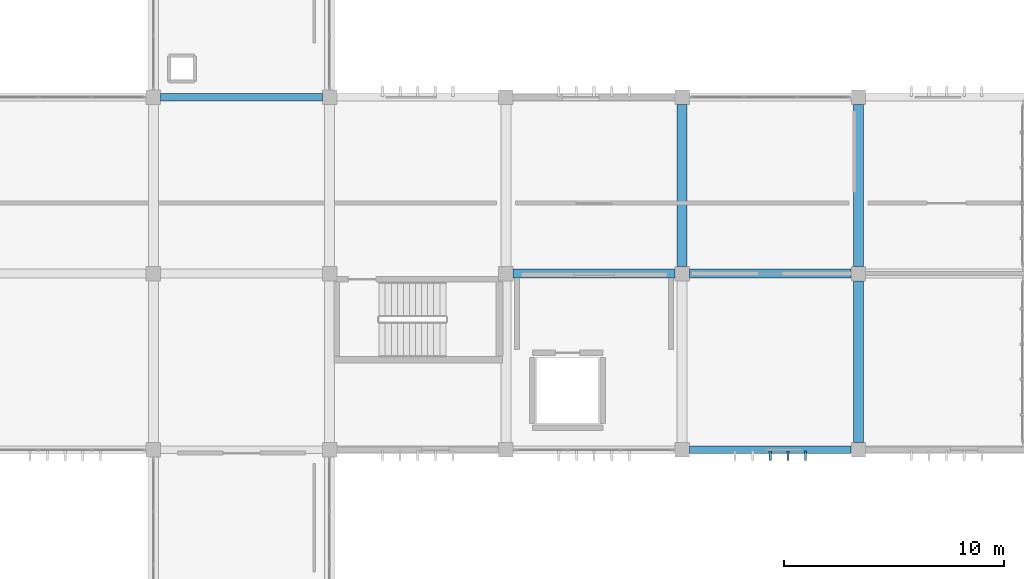
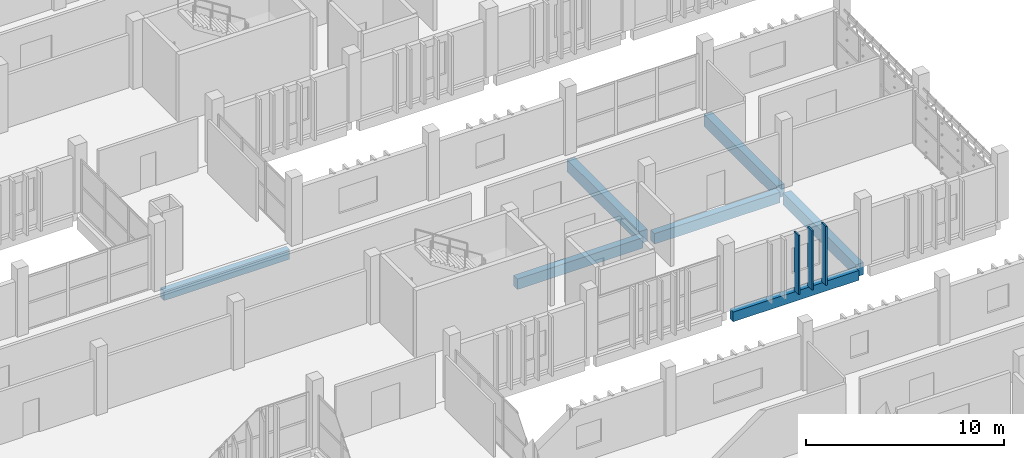
# One storey, part 26 of 137: 7 beams, 3 members.
"""IFC4 building model written with IfcOpenShell, lengths in metres."""

from ifc_helpers import new_model, si_unit, direction, frame, origin, origin_2d, place, context, subcontext, project, spatial, rectangle, extrude, material, material_profile, profile_set, type_object, element, save


model = new_model("IFC4")

# Units and contexts
model_context = context("Model", 3, precision=1e-05, world=origin(), true_north=direction((0.0, 1.0)))
body_context = subcontext(model_context, "Body", "Model", "MODEL_VIEW")
ifc_project = project(units=[si_unit("LENGTHUNIT", "METRE"), si_unit("AREAUNIT", "SQUARE_METRE"), si_unit("VOLUMEUNIT", "CUBIC_METRE"), si_unit("PLANEANGLEUNIT", "RADIAN"), si_unit("MASSUNIT", "GRAM", prefix="KILO")], contexts=[model_context])

# Site, building, storey
site_placement = place(None, origin())
site = spatial("IfcSite", under=ifc_project, at=site_placement, CompositionType="ELEMENT")
building_placement = place(site_placement, origin())
building = spatial("IfcBuilding", under=site, at=building_placement, Name="Jelvoka-Kovrelna Polytechnic", CompositionType="ELEMENT")
storey_placement = place(building_placement, frame((0.0, 0.0, 9.60009765625)))
storey = spatial("IfcBuildingStorey", under=building, at=storey_placement, Name="L03", CompositionType="ELEMENT", Elevation=9.60009765625)

# Beams
ifc_material_1 = material(Name="Concrete C40/50", Category="concrete")
ifc_material_profile_1 = material_profile(ifc_material_1, rectangle(XDim=0.39990234375, YDim=0.64990234375, at=origin_2d()), Name="RC 400x650")
ifc_profile_set_1 = profile_set([ifc_material_profile_1], Name="Concrete C40/50")
beam_type_1 = type_object("IfcBeamType", Name="Beam_RC_400x650", PredefinedType="BEAM", material=ifc_profile_set_1)
for number, where, z_axis, x_axis, name in (
    (1, (88.330078125, 40.0, -0.590087890625), (1.0, 0.0, 0.0), (0.0, 1.0, 0.0), "L03 beam 0937"),
    (2, (96.330078125, 40.0, -0.590087890625), (1.0, 0.0, 0.0), (0.0, 1.0, 0.0), "L03 beam 0938"),
):
    element("IfcBeam", number, at=place(storey_placement, frame(where, z_axis=z_axis, x_axis=x_axis)), inside=storey, type_object=beam_type_1, Name=name, PredefinedType="BEAM", context=body_context, shape_type="SweptSolid", body=[
        extrude(rectangle(XDim=0.39990234375, YDim=0.64990234375, at=origin_2d()), origin(), (0.0, 0.0, 1.0), 7.33984375),
    ])
ifc_material_2 = material(Name="Concrete C40/50", Category="concrete")
ifc_material_profile_2 = material_profile(ifc_material_2, rectangle(XDim=0.449951171875, YDim=0.75, at=origin_2d()), Name="RC 450x750")
ifc_profile_set_2 = profile_set([ifc_material_profile_2], Name="Concrete C40/50")
beam_type_2 = type_object("IfcBeamType", Name="Beam_RC_450x750", PredefinedType="BEAM", material=ifc_profile_set_2)
for number, where, z_axis, x_axis, name in (
    (3, (96.0, 40.330078125, -0.64013671875), (0.0, 1.0, 0.0), (-1.0, 0.0, 0.0), "L03 beam 0958"),
    (4, (104.0, 32.330078125, -0.64013671875), (0.0, 1.0, 0.0), (-1.0, 0.0, 0.0), "L03 beam 0959"),
    (5, (104.0, 40.330078125, -0.64013671875), (0.0, 1.0, 0.0), (-1.0, 0.0, 0.0), "L03 beam 0960"),
):
    element("IfcBeam", number, at=place(storey_placement, frame(where, z_axis=z_axis, x_axis=x_axis)), inside=storey, type_object=beam_type_2, Name=name, PredefinedType="BEAM", context=body_context, shape_type="SweptSolid", body=[
        extrude(rectangle(XDim=0.449951171875, YDim=0.75, at=origin_2d()), origin(), (0.0, 0.0, 1.0), 7.33984375),
    ])

# Members
ifc_material_3 = material(Name="Precast concrete C40/50", Category="concrete")
ifc_material_profile_3 = material_profile(ifc_material_3, rectangle(XDim=0.10009765625, YDim=0.449951171875, at=origin_2d()), Name="PC 100x450")
ifc_profile_set_3 = profile_set([ifc_material_profile_3], Name="Precast concrete C40/50")
member_type = type_object("IfcMemberType", Name="Louvre_Fin_100x450", PredefinedType="USERDEFINED", material=ifc_profile_set_3)
for number, where, z_axis, x_axis, name in (
    (6, (100.0, 31.735107421875, -0.27001953125), (0.0, 0.0, 1.0), (1.0, 0.0, 0.0), "L03 B2W south vertical solar louvre fin 0688"),
    (7, (100.800048828125, 31.735107421875, -0.27001953125), (0.0, 0.0, 1.0), (1.0, 0.0, 0.0), "L03 B2W south vertical solar louvre fin 0689"),
    (8, (101.60009765625, 31.735107421875, -0.27001953125), (0.0, 0.0, 1.0), (1.0, 0.0, 0.0), "L03 B2W south vertical solar louvre fin 0690"),
):
    element("IfcMember", number, at=place(storey_placement, frame(where, z_axis=z_axis, x_axis=x_axis)), inside=storey, type_object=member_type, Name=name, ObjectType="SUNSHADE", PredefinedType="USERDEFINED", context=body_context, shape_type="SweptSolid", body=[
        extrude(rectangle(XDim=0.10009765625, YDim=0.449951171875, at=origin_2d()), origin(), (0.0, 0.0, 1.0), 3.64501953125),
    ])

# Beams
ifc_material_4 = material(Name="Concrete C40/50", Category="concrete")
ifc_material_profile_4 = material_profile(ifc_material_4, rectangle(XDim=0.35009765625, YDim=0.60009765625, at=origin_2d()), Name="RC 350x600")
ifc_profile_set_4 = profile_set([ifc_material_profile_4], Name="Concrete C40/50")
beam_type_3 = type_object("IfcBeamType", Name="Spandrel_RC_350x600", PredefinedType="SPANDREL", material=ifc_profile_set_4)
for number, where, z_axis, x_axis, name in (
    (9, (96.330078125, 32.0, -0.565185546875), (1.0, 0.0, 0.0), (0.0, 1.0, 0.0), "L03 beam 0932"),
    (10, (72.330078125, 48.0, -0.565185546875), (1.0, 0.0, 0.0), (0.0, 1.0, 0.0), "L03 beam 0942"),
):
    element("IfcBeam", number, at=place(storey_placement, frame(where, z_axis=z_axis, x_axis=x_axis)), inside=storey, type_object=beam_type_3, Name=name, PredefinedType="SPANDREL", context=body_context, shape_type="SweptSolid", body=[
        extrude(rectangle(XDim=0.35009765625, YDim=0.60009765625, at=origin_2d()), origin(), (0.0, 0.0, 1.0), 7.33984375),
    ])

save(model, "model.ifc")
